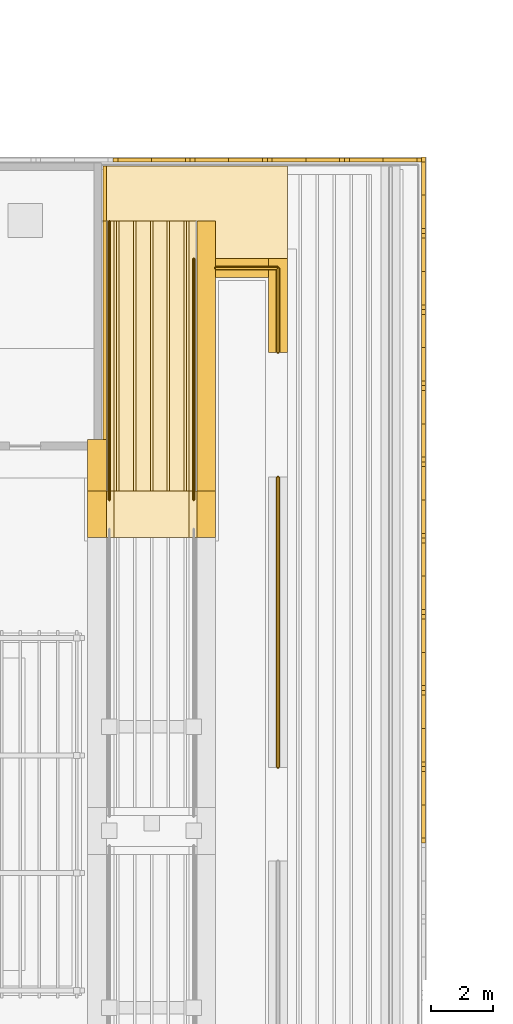
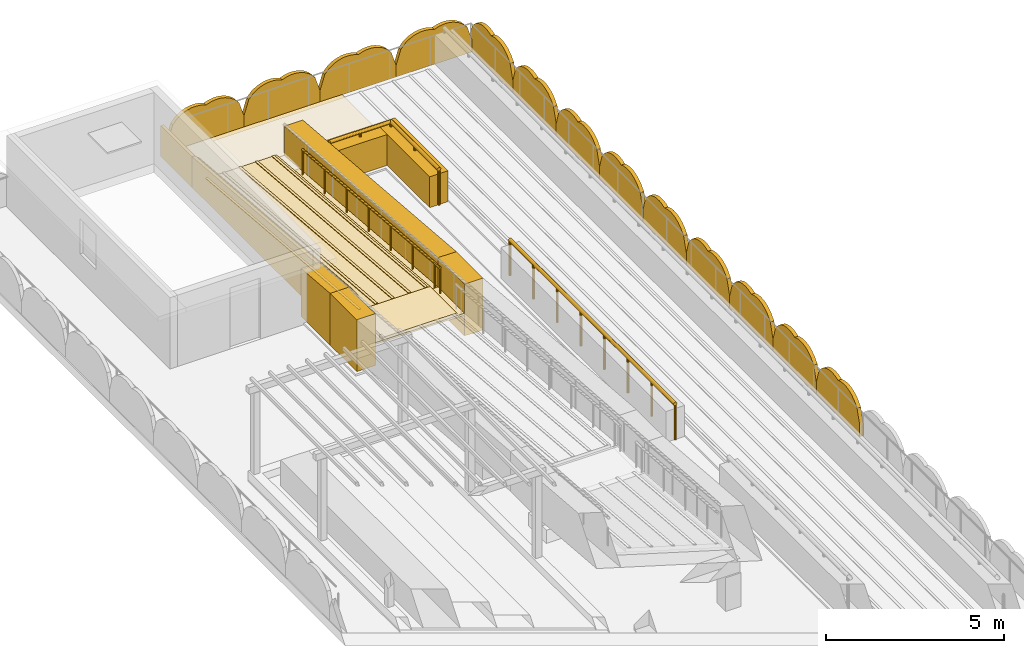
# One storey, part 65 of 65: 18 coverings, 13 shading devices, 4 railings.
"""IFC4 building model written with IfcOpenShell, lengths in metres."""

from ifc_helpers import new_model, si_unit, direction, frame, origin, origin_2d, place, context, subcontext, project, spatial, polyline, circle, outline, extrude, material, layer, layer_set, type_object, element, save


model = new_model("IFC4")

# Units and contexts
model_context = context("Model", 3, precision=1e-05, world=origin(), true_north=direction((0.0, 1.0)))
body_context = subcontext(model_context, "Body", "Model", "MODEL_VIEW")
ifc_project = project(units=[si_unit("LENGTHUNIT", "METRE"), si_unit("AREAUNIT", "SQUARE_METRE"), si_unit("VOLUMEUNIT", "CUBIC_METRE"), si_unit("PLANEANGLEUNIT", "RADIAN"), si_unit("MASSUNIT", "GRAM", prefix="KILO")], contexts=[model_context])

# Site, building, storey
site_placement = place(None, origin())
site = spatial("IfcSite", under=ifc_project, at=site_placement, CompositionType="ELEMENT")
building_placement = place(site_placement, origin())
building = spatial("IfcBuilding", under=site, at=building_placement, Name="Elbe Cascade School", CompositionType="ELEMENT")
storey_placement = place(building_placement, frame((0.0, 0.0, 11.699951171875)))
storey = spatial("IfcBuildingStorey", under=building, at=storey_placement, Name="L03", CompositionType="ELEMENT", Elevation=11.699951171875)

# Shading devices
ifc_material_1 = material(Name="Precast concrete C40/50", Category="concrete")
ifc_layer_1 = layer(ifc_material_1, 0.1201171875)
ifc_layer_set_1 = layer_set([ifc_layer_1], Name="Precast concrete C40/50")
shading_device_type = type_object("IfcShadingDeviceType", Name="Bars envelope Attic jali screen, pointed arch top, pierced precast concrete, 1200 high", PredefinedType="USERDEFINED", material=ifc_layer_set_1)
shading_device_1_placement = place(storey_placement, frame((145.52001953125, 38.28564453125, 0.0), z_axis=(1.0, 0.0, 0.0), x_axis=(0.0, 1.0, 0.0)))
element("IfcShadingDevice", 1, at=shading_device_1_placement, inside=storey, type_object=shading_device_type, Name="Attic jali screen SD1 C.L03.e14", ObjectType="JALI", PredefinedType="USERDEFINED", context=body_context, shape_type="SweptSolid", body=[
    extrude(outline(polyline([(0.0, 0.0), (2.440673828125, 0.0), (2.440673828125, 0.400146484375), (2.2880859375, 0.892822265625), (2.135498046875, 1.062744140625), (1.98291015625, 1.16748046875), (1.83056640625, 1.23193359375), (1.677734375, 1.265380859375), (1.525390625, 1.271240234375), (1.372802734375, 1.250244140625), (1.220458984375, 1.199951171875), (1.06787109375, 1.250244140625), (0.915283203125, 1.271240234375), (0.7626953125, 1.265380859375), (0.610107421875, 1.23193359375), (0.457763671875, 1.16748046875), (0.30517578125, 1.062744140625), (0.152587890625, 0.892822265625), (0.0, 0.400146484375), (0.0, 0.0)])), origin(), (0.0, 0.0, -1.0), 0.1201171875),
])
shading_device_2_placement = place(storey_placement, frame((145.52001953125, 40.726318359375, 0.0), z_axis=(1.0, 0.0, 0.0), x_axis=(0.0, 1.0, 0.0)))
element("IfcShadingDevice", 2, at=shading_device_2_placement, inside=storey, type_object=shading_device_type, Name="Attic jali screen SD1 C.L03.e15", ObjectType="JALI", PredefinedType="USERDEFINED", context=body_context, shape_type="SweptSolid", body=[
    extrude(outline(polyline([(0.0, 0.0), (2.4404296875, 0.0), (2.4404296875, 0.400146484375), (2.287841796875, 0.892822265625), (2.13525390625, 1.062744140625), (1.982666015625, 1.16748046875), (1.830078125, 1.23193359375), (1.677734375, 1.265380859375), (1.525146484375, 1.271240234375), (1.372802734375, 1.250244140625), (1.219970703125, 1.199951171875), (1.067626953125, 1.250244140625), (0.9150390625, 1.271240234375), (0.762451171875, 1.265380859375), (0.60986328125, 1.23193359375), (0.45751953125, 1.16748046875), (0.304931640625, 1.062744140625), (0.15234375, 0.892822265625), (0.0, 0.400146484375), (0.0, 0.0)])), origin(), (0.0, 0.0, -1.0), 0.1201171875),
])
shading_device_3_placement = place(storey_placement, frame((145.52001953125, 43.166748046875, 0.0), z_axis=(1.0, 0.0, 0.0), x_axis=(0.0, 1.0, 0.0)))
element("IfcShadingDevice", 3, at=shading_device_3_placement, inside=storey, type_object=shading_device_type, Name="Attic jali screen SD1 C.L03.e16", ObjectType="JALI", PredefinedType="USERDEFINED", context=body_context, shape_type="SweptSolid", body=[
    extrude(outline(polyline([(0.0, 0.0), (2.4404296875, 0.0), (2.4404296875, 0.400146484375), (2.287841796875, 0.892822265625), (2.13525390625, 1.062744140625), (1.98291015625, 1.16748046875), (1.830322265625, 1.23193359375), (1.677734375, 1.265380859375), (1.525146484375, 1.271240234375), (1.37255859375, 1.250244140625), (1.22021484375, 1.199951171875), (1.067626953125, 1.250244140625), (0.9150390625, 1.271240234375), (0.762451171875, 1.265380859375), (0.610107421875, 1.23193359375), (0.45751953125, 1.16748046875), (0.304931640625, 1.062744140625), (0.15234375, 0.892822265625), (0.0, 0.400146484375), (0.0, 0.0)])), origin(), (0.0, 0.0, -1.0), 0.1201171875),
])
shading_device_4_placement = place(storey_placement, frame((145.52001953125, 45.607177734375, 0.0), z_axis=(1.0, 0.0, 0.0), x_axis=(0.0, 1.0, 0.0)))
element("IfcShadingDevice", 4, at=shading_device_4_placement, inside=storey, type_object=shading_device_type, Name="Attic jali screen SD1 C.L03.e17", ObjectType="JALI", PredefinedType="USERDEFINED", context=body_context, shape_type="SweptSolid", body=[
    extrude(outline(polyline([(0.0, 0.0), (2.4404296875, 0.0), (2.4404296875, 0.400146484375), (2.287841796875, 0.892822265625), (2.135498046875, 1.062744140625), (1.98291015625, 1.16748046875), (1.830322265625, 1.23193359375), (1.677734375, 1.265380859375), (1.525146484375, 1.271240234375), (1.372802734375, 1.250244140625), (1.22021484375, 1.199951171875), (1.067626953125, 1.250244140625), (0.9150390625, 1.271240234375), (0.7626953125, 1.265380859375), (0.610107421875, 1.23193359375), (0.45751953125, 1.16748046875), (0.304931640625, 1.062744140625), (0.152587890625, 0.892822265625), (0.0, 0.400146484375), (0.0, 0.0)])), origin(), (0.0, 0.0, -1.0), 0.1201171875),
])
shading_device_5_placement = place(storey_placement, frame((145.52001953125, 48.047607421875, 0.0), z_axis=(1.0, 0.0, 0.0), x_axis=(0.0, 1.0, 0.0)))
element("IfcShadingDevice", 5, at=shading_device_5_placement, inside=storey, type_object=shading_device_type, Name="Attic jali screen SD1 C.L03.e18", ObjectType="JALI", PredefinedType="USERDEFINED", context=body_context, shape_type="SweptSolid", body=[
    extrude(outline(polyline([(0.0, 0.0), (2.4404296875, 0.0), (2.4404296875, 0.400146484375), (2.2880859375, 0.892822265625), (2.135498046875, 1.062744140625), (1.98291015625, 1.16748046875), (1.830322265625, 1.23193359375), (1.677734375, 1.265380859375), (1.525390625, 1.271240234375), (1.372802734375, 1.250244140625), (1.22021484375, 1.199951171875), (1.067626953125, 1.250244140625), (0.915283203125, 1.271240234375), (0.7626953125, 1.265380859375), (0.610107421875, 1.23193359375), (0.45751953125, 1.16748046875), (0.30517578125, 1.062744140625), (0.152587890625, 0.892822265625), (0.0, 0.400146484375), (0.0, 0.0)])), origin(), (0.0, 0.0, -1.0), 0.1201171875),
])
shading_device_6_placement = place(storey_placement, frame((145.52001953125, 50.488037109375, 0.0), z_axis=(1.0, 0.0, 0.0), x_axis=(0.0, 1.0, 0.0)))
element("IfcShadingDevice", 6, at=shading_device_6_placement, inside=storey, type_object=shading_device_type, Name="Attic jali screen SD1 C.L03.e19", ObjectType="JALI", PredefinedType="USERDEFINED", context=body_context, shape_type="SweptSolid", body=[
    extrude(outline(polyline([(0.0, 0.0), (2.440673828125, 0.0), (2.440673828125, 0.400146484375), (2.287841796875, 0.892822265625), (2.135498046875, 1.062744140625), (1.98291015625, 1.16748046875), (1.83056640625, 1.23193359375), (1.677978515625, 1.265380859375), (1.525390625, 1.271240234375), (1.372802734375, 1.250244140625), (1.22021484375, 1.199951171875), (1.06787109375, 1.250244140625), (0.915283203125, 1.271240234375), (0.7626953125, 1.265380859375), (0.610107421875, 1.23193359375), (0.457763671875, 1.16748046875), (0.30517578125, 1.062744140625), (0.152587890625, 0.892822265625), (0.0, 0.400146484375), (0.0, 0.0)])), origin(), (0.0, 0.0, -1.0), 0.1201171875),
])
shading_device_7_placement = place(storey_placement, frame((145.52001953125, 52.9287109375, 0.0), z_axis=(1.0, 0.0, 0.0), x_axis=(0.0, 1.0, 0.0)))
element("IfcShadingDevice", 7, at=shading_device_7_placement, inside=storey, type_object=shading_device_type, Name="Attic jali screen SD1 C.L03.e20", ObjectType="JALI", PredefinedType="USERDEFINED", context=body_context, shape_type="SweptSolid", body=[
    extrude(outline(polyline([(0.0, 0.0), (2.440185546875, 0.0), (2.440185546875, 0.400146484375), (2.287841796875, 0.892822265625), (2.13525390625, 1.062744140625), (1.98291015625, 1.16748046875), (1.830078125, 1.23193359375), (1.677734375, 1.265380859375), (1.525146484375, 1.271240234375), (1.37255859375, 1.250244140625), (1.219970703125, 1.199951171875), (1.067626953125, 1.250244140625), (0.9150390625, 1.271240234375), (0.762451171875, 1.265380859375), (0.610107421875, 1.23193359375), (0.45751953125, 1.16748046875), (0.304931640625, 1.062744140625), (0.15234375, 0.892822265625), (0.0, 0.400146484375), (0.0, 0.0)])), origin(), (0.0, 0.0, -1.0), 0.1201171875),
])
shading_device_8_placement = place(storey_placement, frame((145.52001953125, 55.368896484375, 0.0), z_axis=(1.0, 0.0, 0.0), x_axis=(0.0, 1.0, 0.0)))
element("IfcShadingDevice", 8, at=shading_device_8_placement, inside=storey, type_object=shading_device_type, Name="Attic jali screen SD1 C.L03.e21", ObjectType="JALI", PredefinedType="USERDEFINED", context=body_context, shape_type="SweptSolid", body=[
    extrude(outline(polyline([(0.0, 0.0), (2.440673828125, 0.0), (2.440673828125, 0.400146484375), (2.2880859375, 0.892822265625), (2.135498046875, 1.062744140625), (1.98291015625, 1.16748046875), (1.83056640625, 1.23193359375), (1.677978515625, 1.265380859375), (1.525390625, 1.271240234375), (1.372802734375, 1.250244140625), (1.220458984375, 1.199951171875), (1.06787109375, 1.250244140625), (0.915283203125, 1.271240234375), (0.7626953125, 1.265380859375), (0.6103515625, 1.23193359375), (0.457763671875, 1.16748046875), (0.30517578125, 1.062744140625), (0.152587890625, 0.892822265625), (0.0, 0.400146484375), (0.0, 0.0)])), origin(), (0.0, 0.0, -1.0), 0.1201171875),
])
shading_device_9_placement = place(storey_placement, frame((145.52001953125, 57.8095703125, 0.0), z_axis=(1.0, 0.0, 0.0), x_axis=(0.0, 1.0, 0.0)))
element("IfcShadingDevice", 9, at=shading_device_9_placement, inside=storey, type_object=shading_device_type, Name="Attic jali screen SD1 C.L03.e22", ObjectType="JALI", PredefinedType="USERDEFINED", context=body_context, shape_type="SweptSolid", body=[
    extrude(outline(polyline([(0.0, 0.0), (2.4404296875, 0.0), (2.4404296875, 0.400146484375), (2.287841796875, 0.892822265625), (2.13525390625, 1.062744140625), (1.98291015625, 1.16748046875), (1.830322265625, 1.23193359375), (1.677734375, 1.265380859375), (1.525146484375, 1.271240234375), (1.372802734375, 1.250244140625), (1.22021484375, 1.199951171875), (1.067626953125, 1.250244140625), (0.9150390625, 1.271240234375), (0.7626953125, 1.265380859375), (0.610107421875, 1.23193359375), (0.45751953125, 1.16748046875), (0.304931640625, 1.062744140625), (0.152587890625, 0.892822265625), (0.0, 0.400146484375), (0.0, 0.0)])), origin(), (0.0, 0.0, -1.0), 0.1201171875),
])
shading_device_10_placement = place(storey_placement, frame((135.514404296875, 60.219970703125, 0.400146484375), z_axis=(0.0, 1.0, 0.0), x_axis=(0.296591098501, 0.0, 0.955004565586)))
element("IfcShadingDevice", 10, at=shading_device_10_placement, inside=storey, type_object=shading_device_type, Name="Attic jali screen SD1 C.L03.n4", ObjectType="JALI", PredefinedType="USERDEFINED", context=body_context, shape_type="SweptSolid", body=[
    extrude(outline(polyline([(0.0, 0.0), (0.5202343420947262, 0.0), (0.7295117751579618, 0.09682801024569865), (0.875837247110804, 0.21320670325393723), (0.9831533554036527, 0.34144470018896744), (1.0604648255465818, 0.4792567342998425), (1.1107302679531939, 0.6254683210049938), (1.134809894333411, 0.7795566651482713), (1.1302838150328287, 0.942784586850448), (1.226480873508876, 1.074731416132561), (1.2939274064318087, 1.2153515121505334), (1.3353329432006613, 1.3643146764296716), (1.3496924522331972, 1.5216773933030865), (1.3339025032434986, 1.688147836529306), (1.2792480104661212, 1.866943894505357), (1.1616415565783504, 2.065290635243948), (0.7329333737867739, 2.359999075405198), (0.3507916543055331, 2.478678960767431), (-0.3821417194812408, 0.118679885362233), (0.0, 0.0)])), origin(), (0.0, 0.0, -1.0), 0.1201171875),
])
shading_device_11_placement = place(storey_placement, frame((137.985595703125, 60.219970703125, 0.400146484375), z_axis=(0.0, 1.0, 0.0), x_axis=(0.297019017158, 0.0, 0.954871563849)))
element("IfcShadingDevice", 11, at=shading_device_11_placement, inside=storey, type_object=shading_device_type, Name="Attic jali screen SD1 C.L03.n5", ObjectType="JALI", PredefinedType="USERDEFINED", context=body_context, shape_type="SweptSolid", body=[
    extrude(outline(polyline([(0.0, 0.0), (0.5203068042706857, 0.0), (0.7296276060574873, 0.09673422092004844), (0.8760052139382555, 0.21304733213126112), (0.983378776364954, 0.3412372266192086), (1.060751993889478, 0.47901460274221613), (1.111082950328447, 0.6252036502495756), (1.1352316230349457, 0.7792811885669514), (1.1307786884816262, 0.9425111220684724), (1.2270348641779603, 1.0744148311041308), (1.2946169182059901, 1.2152378123835414), (1.3360166885015499, 1.3639492844729684), (1.3504467121200405, 1.5213055508871403), (1.3347313620193848, 1.6877830530555866), (1.2801569952816312, 1.8666035843815534), (1.162639434637844, 2.065003005998684), (0.734063357101687, 2.359903525595471), (0.3519748577980244, 2.478754641103686), (-0.3820884993036626, 0.11885111550821545), (0.0, 0.0)])), origin(), (0.0, 0.0, -1.0), 0.1201171875),
])
shading_device_12_placement = place(storey_placement, frame((140.45703125, 60.219970703125, 0.400146484375), z_axis=(0.0, 1.0, 0.0), x_axis=(0.297019017158, 0.0, 0.954871563849)))
element("IfcShadingDevice", 12, at=shading_device_12_placement, inside=storey, type_object=shading_device_type, Name="Attic jali screen SD1 C.L03.n6", ObjectType="JALI", PredefinedType="USERDEFINED", context=body_context, shape_type="SweptSolid", body=[
    extrude(outline(polyline([(0.0, 0.0), (0.5203068042706857, 0.0), (0.7296276060574873, 0.09673422092004844), (0.8759326995297696, 0.21281420919086838), (0.983378776364954, 0.3412372266192086), (1.060751993889478, 0.47901460274221613), (1.111010435919961, 0.6249705273091829), (1.1352316230349457, 0.7792811885669514), (1.1307786884816262, 0.9425111220684724), (1.2270348641779603, 1.0744148311041308), (1.2945444037975045, 1.2150046894431488), (1.3360166885015499, 1.3639492844729684), (1.3504467121200405, 1.5213055508871403), (1.3347313620193848, 1.6877830530555866), (1.2801569952816312, 1.8666035843815534), (1.162639434637844, 2.065003005998684), (0.7341358715101728, 2.3601366485358635), (0.35204737220651017, 2.4789877640440787), (-0.3820884993036626, 0.11885111550821545), (0.0, 0.0)])), origin(), (0.0, 0.0, -1.0), 0.1201171875),
])
shading_device_13_placement = place(storey_placement, frame((142.9287109375, 60.219970703125, 0.400146484375), z_axis=(0.0, 1.0, 0.0), x_axis=(0.296591098501, 0.0, 0.955004565586)))
element("IfcShadingDevice", 13, at=shading_device_13_placement, inside=storey, type_object=shading_device_type, Name="Attic jali screen SD1 C.L03.n7", ObjectType="JALI", PredefinedType="USERDEFINED", context=body_context, shape_type="SweptSolid", body=[
    extrude(outline(polyline([(0.0, 0.0), (0.5202343420947262, 0.0), (0.7295117751579618, 0.09682801024569865), (0.875837247110804, 0.21320670325393723), (0.9831533554036527, 0.34144470018896744), (1.0604648255465818, 0.4792567342998425), (1.1107302679531939, 0.6254683210049938), (1.134809894333411, 0.7795566651482713), (1.1302838150328287, 0.942784586850448), (1.2264084635727184, 1.074498260721041), (1.2939274064318087, 1.2153515121505334), (1.3353329432006613, 1.3643146764296716), (1.3496200422970395, 1.5214442378915665), (1.3339025032434986, 1.688147836529306), (1.2792480104661212, 1.866943894505357), (1.1616415565783504, 2.065290635243948), (0.7329333737867739, 2.359999075405198), (0.3507916543055331, 2.478678960767431), (-0.3821417194812408, 0.118679885362233), (0.0, 0.0)])), origin(), (0.0, 0.0, -1.0), 0.1201171875),
])

# Coverings
ifc_material_2 = material(Name="Running track surfacing - white lines", Category="surfacing")
ifc_layer_2 = layer(ifc_material_2, 0.02001953125)
ifc_layer_set_2 = layer_set([ifc_layer_2], Name="Running track surfacing - white lines")
covering_type_1 = type_object("IfcCoveringType", Name="Lane marking 80", PredefinedType="FLOORING", material=ifc_layer_set_2)
for number, where, z_axis, x_axis, name in (
    (14, (135.6298828125, 49.56005859375, 0.9599609375), (0.0, 0.08304314939, 0.996545952447), (0.0, 0.996545952447, -0.08304314939), "Lane marking C ramp flight 5 line 1"),
    (15, (136.169921875, 49.56005859375, 0.9599609375), (0.0, 0.08304314939, 0.996545952447), (0.0, 0.996545952447, -0.08304314939), "Lane marking C ramp flight 5 line 2"),
    (16, (136.7099609375, 49.56005859375, 0.9599609375), (0.0, 0.08304314939, 0.996545952447), (0.0, 0.996545952447, -0.08304314939), "Lane marking C ramp flight 5 line 3"),
    (17, (137.25, 49.56005859375, 0.9599609375), (0.0, 0.08304314939, 0.996545952447), (0.0, 0.996545952447, -0.08304314939), "Lane marking C ramp flight 5 line 4"),
    (18, (137.7900390625, 49.56005859375, 0.9599609375), (0.0, 0.08304314939, 0.996545952447), (0.0, 0.996545952447, -0.08304314939), "Lane marking C ramp flight 5 line 5"),
):
    element("IfcCovering", number, at=place(storey_placement, frame(where, z_axis=z_axis, x_axis=x_axis)), inside=storey, type_object=covering_type_1, Name=name, PredefinedType="FLOORING", context=body_context, shape_type="SweptSolid", body=[
        extrude(outline(polyline([(0.0, 0.0), (8.669838612967244, 0.0), (8.669838612967244, -0.08007812500000001), (0.0, -0.08007812500000001), (0.0, 0.0)])), origin(), (0.08304314939, 0.0, -0.996545952447), 0.02001953125),
    ])
ifc_material_3 = material(Name="Concrete C30/37 precast parapet", Category="concrete")
ifc_layer_3 = layer(ifc_material_3, 0.10009765625)
ifc_layer_set_3 = layer_set([ifc_layer_3], Name="Concrete C30/37 precast parapet")
covering_type_2 = type_object("IfcCoveringType", Name="Ramp parapet beside a wall 100", PredefinedType="CLADDING", material=ifc_layer_set_3)
covering_1_placement = place(storey_placement, frame((135.199951171875, 49.56005859375, 0.06005859375), z_axis=(1.0, 0.0, 0.0), x_axis=(0.0, 1.0, 0.0)))
element("IfcCovering", 19, at=covering_1_placement, inside=storey, type_object=covering_type_2, Name="Ramp C flight 5 parapet w2", PredefinedType="CLADDING", context=body_context, shape_type="SweptSolid", body=[
    extrude(outline(polyline([(1.639892578125, 0.0), (8.639892578125, 0.0), (8.639892578125, 1.06005859375), (1.639892578125, 1.643310546875), (1.639892578125, 0.0)])), origin(), (0.0, 0.0, 1.0), 0.10009765625),
])
ifc_material_4 = material(Name="Concrete C30/37 precast parapet", Category="concrete")
ifc_layer_4 = layer(ifc_material_4, 0.60009765625)
ifc_layer_set_4 = layer_set([ifc_layer_4], Name="Concrete C30/37 precast parapet")
covering_type_3 = type_object("IfcCoveringType", Name="Ramp parapet on deck 600", PredefinedType="CLADDING", material=ifc_layer_set_4)
covering_2_placement = place(storey_placement, frame((0.0, 0.0, 0.06005859375)))
element("IfcCovering", 20, at=covering_2_placement, inside=storey, type_object=covering_type_3, Name="Ramp C landing 5 parapet w1", PredefinedType="CLADDING", context=body_context, shape_type="SweptSolid", body=[
    extrude(outline(polyline([(134.699951171875, 48.06005859375), (135.300048828125, 48.06005859375), (135.300048828125, 49.56005859375), (134.699951171875, 49.56005859375), (134.699951171875, 48.06005859375)])), origin(), (0.0, 0.0, 1.0), 1.780029296875),
])
covering_3_placement = place(storey_placement, frame((134.699951171875, 49.56005859375, 0.06005859375), z_axis=(1.0, 0.0, 0.0), x_axis=(0.0, 1.0, 0.0)))
element("IfcCovering", 21, at=covering_3_placement, inside=storey, type_object=covering_type_3, Name="Ramp C flight 5 parapet w1", PredefinedType="CLADDING", context=body_context, shape_type="SweptSolid", body=[
    extrude(outline(polyline([(0.0, 0.0), (1.639892578125, 0.0), (1.639892578125, 1.643310546875), (0.0, 1.780029296875), (0.0, 0.0)])), origin(), (0.0, 0.0, 1.0), 0.60009765625),
])
covering_4_placement = place(storey_placement, frame((0.0, 0.0, 0.06005859375)))
element("IfcCovering", 22, at=covering_4_placement, inside=storey, type_object=covering_type_3, Name="Ramp C landing 5 parapet e1", PredefinedType="CLADDING", context=body_context, shape_type="SweptSolid", body=[
    extrude(outline(polyline([(138.199951171875, 48.06005859375), (138.800048828125, 48.06005859375), (138.800048828125, 49.56005859375), (138.199951171875, 49.56005859375), (138.199951171875, 48.06005859375)])), origin(), (0.0, 0.0, 1.0), 1.780029296875),
])
covering_5_placement = place(storey_placement, frame((138.199951171875, 49.56005859375, 0.06005859375), z_axis=(1.0, 0.0, 0.0), x_axis=(0.0, 1.0, 0.0)))
element("IfcCovering", 23, at=covering_5_placement, inside=storey, type_object=covering_type_3, Name="Ramp C flight 5 parapet e1", PredefinedType="CLADDING", context=body_context, shape_type="SweptSolid", body=[
    extrude(outline(polyline([(0.0, 0.0), (8.639892578125, 0.0), (8.639892578125, 1.06005859375), (0.0, 1.780029296875), (0.0, 0.0)])), origin(), (0.0, 0.0, 1.0), 0.60009765625),
])
ifc_material_5 = material(Name="Running track surfacing - red", Category="surfacing")
ifc_layer_5 = layer(ifc_material_5, 0.10009765625)
ifc_layer_set_5 = layer_set([ifc_layer_5], Name="Running track surfacing - red")
covering_type_4 = type_object("IfcCoveringType", Name="Running track band 100", PredefinedType="USERDEFINED", material=ifc_layer_set_5)
covering_6_placement = place(storey_placement, frame((0.0, 0.0, 0.840087890625)))
element("IfcCovering", 24, at=covering_6_placement, inside=storey, type_object=covering_type_4, Name="Running track band C ramp landing 5", ObjectType="RUNNING TRACK", PredefinedType="USERDEFINED", context=body_context, shape_type="SweptSolid", body=[
    extrude(outline(polyline([(137.949951171875, 48.06005859375), (137.949951171875, 49.56005859375), (135.550048828125, 49.56005859375), (135.550048828125, 48.06005859375), (137.949951171875, 48.06005859375)])), origin(), (0.0, 0.0, 1.0), 0.099853515625),
])
covering_7_placement = place(storey_placement, frame((135.550048828125, 49.56005859375, 0.93994140625), z_axis=(0.0, 0.08304314939, 0.996545952447), x_axis=(0.0, 0.996545952447, -0.08304314939)))
element("IfcCovering", 25, at=covering_7_placement, inside=storey, type_object=covering_type_4, Name="Running track band C ramp flight 5", ObjectType="RUNNING TRACK", PredefinedType="USERDEFINED", context=body_context, shape_type="SweptSolid", body=[
    extrude(outline(polyline([(0.0, 0.0), (8.669838612967244, 0.0), (8.669838612967244, -2.3999023437500004), (0.0, -2.3999023437500004), (0.0, 0.0)])), origin(), (0.08304314939, 0.0, -0.996545952447), 0.10009765625),
])
ifc_material_6 = material(Name="Running track surfacing - red", Category="surfacing")
ifc_layer_6 = layer(ifc_material_6, 0.06005859375)
ifc_layer_set_6 = layer_set([ifc_layer_6], Name="Running track surfacing - red")
covering_type_5 = type_object("IfcCoveringType", Name="Running track surfacing 60", PredefinedType="USERDEFINED", material=ifc_layer_set_6)
covering_8_placement = place(storey_placement, frame((0.0, 0.0, 0.06005859375)))
element("IfcCovering", 26, at=covering_8_placement, inside=storey, type_object=covering_type_5, Name="Running track C ramp link", ObjectType="RUNNING TRACK", PredefinedType="USERDEFINED", context=body_context, shape_type="SweptSolid", body=[
    extrude(outline(polyline([(135.300048828125, 58.199951171875), (138.199951171875, 58.199951171875), (138.199951171875, 57.0), (141.10009765625, 57.0), (141.10009765625, 59.969970703125), (135.300048828125, 59.969970703125), (135.300048828125, 58.199951171875)])), origin(), (0.0, 0.0, 1.0), 0.06005859375),
])
covering_9_placement = place(storey_placement, frame((0.0, 0.0, 0.780029296875)))
element("IfcCovering", 27, at=covering_9_placement, inside=storey, type_object=covering_type_5, Name="Running track C ramp landing 5", ObjectType="RUNNING TRACK", PredefinedType="USERDEFINED", context=body_context, shape_type="SweptSolid", body=[
    extrude(outline(polyline([(138.199951171875, 48.06005859375), (138.199951171875, 49.56005859375), (135.300048828125, 49.56005859375), (135.300048828125, 48.06005859375), (138.199951171875, 48.06005859375)])), origin(), (0.0, 0.0, 1.0), 0.06005859375),
])
covering_10_placement = place(storey_placement, frame((135.300048828125, 49.56005859375, 0.840087890625), z_axis=(0.0, 0.08304314939, 0.996545952447), x_axis=(0.0, 0.996545952447, -0.08304314939)))
element("IfcCovering", 28, at=covering_10_placement, inside=storey, type_object=covering_type_5, Name="Running track C ramp flight 5", ObjectType="RUNNING TRACK", PredefinedType="USERDEFINED", context=body_context, shape_type="SweptSolid", body=[
    extrude(outline(polyline([(0.0, 0.0), (8.669838612967244, 0.0), (8.669838612967244, -2.89990234375), (0.0, -2.89990234375), (0.0, 0.0)])), origin(), (0.08304314939, 0.0, -0.996545952447), 0.06005859375),
])

# Railings
ifc_material_7 = material(Name="Steel S355J2H", Category="steel")
railing_type_1 = type_object("IfcRailingType", Name="Track edge rail 1280", PredefinedType="GUARDRAIL", material=ifc_material_7)
railing_1_placement = place(storey_placement, frame((138.800048828125, 56.699951171875, 0.06005859375)))
element("IfcRailing", 29, at=railing_1_placement, inside=storey, type_object=railing_type_1, Name="Track edge rail RL6 C west 1", PredefinedType="GUARDRAIL", context=body_context, shape_type="SweptSolid", body=[
    extrude(circle(Radius=0.06005859375, at=origin_2d()), frame((0.0, 0.0, 1.219970703125), z_axis=(1.0, 0.0, 0.0), x_axis=(0.0, 1.0, 0.0)), (0.0, 0.0, 1.0), 2.0),
    extrude(circle(Radius=0.06005859375, at=origin_2d()), frame((2.0, 0.0, 1.219970703125), z_axis=(0.0, -1.0, 0.0), x_axis=(1.0, 0.0, 0.0)), (0.0, 0.0, 1.0), 2.699951171875),
    extrude(circle(Radius=0.0400390625, at=origin_2d()), origin(), (0.0, 0.0, 1.0), 1.159912109375),
    extrude(circle(Radius=0.0400390625, at=origin_2d()), frame((1.0, 0.0, 0.0)), (0.0, 0.0, 1.0), 1.159912109375),
    extrude(circle(Radius=0.0400390625, at=origin_2d()), frame((2.0, 0.0, 0.0)), (0.0, 0.0, 1.0), 1.159912109375),
    extrude(circle(Radius=0.0400390625, at=origin_2d()), frame((2.0, -1.35009765625, 0.0)), (0.0, 0.0, 1.0), 1.159912109375),
    extrude(circle(Radius=0.0400390625, at=origin_2d()), frame((2.0, -2.699951171875, 0.0)), (0.0, 0.0, 1.0), 1.159912109375),
])
railing_2_placement = place(storey_placement, frame((140.800048828125, 50.0, 0.06005859375)))
element("IfcRailing", 30, at=railing_2_placement, inside=storey, type_object=railing_type_1, Name="Track edge rail RL6 C west 2", PredefinedType="GUARDRAIL", context=body_context, shape_type="SweptSolid", body=[
    extrude(circle(Radius=0.06005859375, at=origin_2d()), frame((0.0, 0.0, 1.219970703125), z_axis=(0.0, -1.0, 0.0), x_axis=(1.0, 0.0, 0.0)), (0.0, 0.0, 1.0), 9.300048828125),
    extrude(circle(Radius=0.0400390625, at=origin_2d()), origin(), (0.0, 0.0, 1.0), 1.159912109375),
    extrude(circle(Radius=0.0400390625, at=origin_2d()), frame((0.0, -1.32861328125, 0.0)), (0.0, 0.0, 1.0), 1.159912109375),
    extrude(circle(Radius=0.0400390625, at=origin_2d()), frame((0.0, -2.6572265625, 0.0)), (0.0, 0.0, 1.0), 1.159912109375),
    extrude(circle(Radius=0.0400390625, at=origin_2d()), frame((0.0, -3.98583984375, 0.0)), (0.0, 0.0, 1.0), 1.159912109375),
    extrude(circle(Radius=0.0400390625, at=origin_2d()), frame((0.0, -5.314208984375, 0.0)), (0.0, 0.0, 1.0), 1.159912109375),
    extrude(circle(Radius=0.0400390625, at=origin_2d()), frame((0.0, -6.642822265625, 0.0)), (0.0, 0.0, 1.0), 1.159912109375),
    extrude(circle(Radius=0.0400390625, at=origin_2d()), frame((0.0, -7.971435546875, 0.0)), (0.0, 0.0, 1.0), 1.159912109375),
    extrude(circle(Radius=0.0400390625, at=origin_2d()), frame((0.0, -9.300048828125, 0.0)), (0.0, 0.0, 1.0), 1.159912109375),
])
ifc_material_8 = material(Name="Steel S355J2H", Category="steel")
railing_type_2 = type_object("IfcRailingType", Name="Track handrail 900", PredefinedType="HANDRAIL", material=ifc_material_8)
railing_3_placement = place(storey_placement, frame((138.10009765625, 49.260009765625, 0.840087890625)))
element("IfcRailing", 31, at=railing_3_placement, inside=storey, type_object=railing_type_2, Name="Track handrail RL5 B-C south and east flight 5", PredefinedType="HANDRAIL", context=body_context, shape_type="SweptSolid", body=[
    extrude(circle(Radius=0.0400390625, at=origin_2d()), frame((0.0, 0.0, 0.85986328125), z_axis=(0.0, 1.0, 0.0), x_axis=(-1.0, 0.0, 0.0)), (0.0, 0.0, 1.0), 0.300048828125),
    extrude(circle(Radius=0.0400390625, at=origin_2d()), frame((0.0, 0.300048828125, 0.85986328125), z_axis=(0.0, 0.996544404949, -0.083061717811), x_axis=(-1.0, 0.0, 0.0)), (0.0, 0.0, 1.0), 7.4658203125),
    extrude(circle(Radius=0.02099609375, at=origin_2d()), origin(), (0.0, 0.0, 1.0), 0.81982421875),
    extrude(circle(Radius=0.02099609375, at=origin_2d()), frame((0.0, 0.300048828125, 0.0)), (0.0, 0.0, 1.0), 0.81982421875),
    extrude(circle(Radius=0.02099609375, at=origin_2d()), frame((0.0, 1.5400390625, -0.103271484375)), (0.0, 0.0, 1.0), 0.81982421875),
    extrude(circle(Radius=0.02099609375, at=origin_2d()), frame((0.0, 2.780029296875, -0.206787109375)), (0.0, 0.0, 1.0), 0.81982421875),
    extrude(circle(Radius=0.02099609375, at=origin_2d()), frame((0.0, 4.02001953125, -0.31005859375)), (0.0, 0.0, 1.0), 0.81982421875),
    extrude(circle(Radius=0.02099609375, at=origin_2d()), frame((0.0, 5.260009765625, -0.413330078125)), (0.0, 0.0, 1.0), 0.81982421875),
    extrude(circle(Radius=0.02099609375, at=origin_2d()), frame((0.0, 6.5, -0.516845703125)), (0.0, 0.0, 1.0), 0.81982421875),
    extrude(circle(Radius=0.02099609375, at=origin_2d()), frame((0.0, 7.739990234375, -0.6201171875)), (0.0, 0.0, 1.0), 0.81982421875),
])
railing_4_placement = place(storey_placement, frame((135.39990234375, 49.260009765625, 0.840087890625)))
element("IfcRailing", 32, at=railing_4_placement, inside=storey, type_object=railing_type_2, Name="Track handrail RL5 B-C north and west flight 5", PredefinedType="HANDRAIL", context=body_context, shape_type="SweptSolid", body=[
    extrude(circle(Radius=0.0400390625, at=origin_2d()), frame((0.0, 0.0, 0.85986328125), z_axis=(0.0, 1.0, 0.0), x_axis=(-1.0, 0.0, 0.0)), (0.0, 0.0, 1.0), 0.300048828125),
    extrude(circle(Radius=0.0400390625, at=origin_2d()), frame((0.0, 0.300048828125, 0.85986328125), z_axis=(0.0, 0.996545952447, -0.08304314939), x_axis=(-1.0, 0.0, 0.0)), (0.0, 0.0, 1.0), 8.669921875),
    extrude(circle(Radius=0.02099609375, at=origin_2d()), origin(), (0.0, 0.0, 1.0), 0.81982421875),
    extrude(circle(Radius=0.02099609375, at=origin_2d()), frame((0.0, 0.300048828125, 0.0)), (0.0, 0.0, 1.0), 0.81982421875),
    extrude(circle(Radius=0.02099609375, at=origin_2d()), frame((0.0, 1.534423828125, -0.102783203125)), (0.0, 0.0, 1.0), 0.81982421875),
    extrude(circle(Radius=0.02099609375, at=origin_2d()), frame((0.0, 2.7685546875, -0.205810546875)), (0.0, 0.0, 1.0), 0.81982421875),
    extrude(circle(Radius=0.02099609375, at=origin_2d()), frame((0.0, 4.0029296875, -0.30859375)), (0.0, 0.0, 1.0), 0.81982421875),
    extrude(circle(Radius=0.02099609375, at=origin_2d()), frame((0.0, 5.237060546875, -0.411376953125)), (0.0, 0.0, 1.0), 0.81982421875),
    extrude(circle(Radius=0.02099609375, at=origin_2d()), frame((0.0, 6.471435546875, -0.51416015625)), (0.0, 0.0, 1.0), 0.81982421875),
    extrude(circle(Radius=0.02099609375, at=origin_2d()), frame((0.0, 7.70556640625, -0.6171875)), (0.0, 0.0, 1.0), 0.81982421875),
    extrude(circle(Radius=0.02099609375, at=origin_2d()), frame((0.0, 8.93994140625, -0.719970703125)), (0.0, 0.0, 1.0), 0.81982421875),
])

# Coverings
ifc_material_9 = material(Name="Concrete C30/37 precast parapet", Category="concrete")
ifc_layer_7 = layer(ifc_material_9, 0.10009765625)
ifc_layer_set_7 = layer_set([ifc_layer_7], Name="Concrete C30/37 precast parapet")
covering_type_6 = type_object("IfcCoveringType", Name="Track parapet beside a wall 100x1060", PredefinedType="CLADDING", material=ifc_layer_set_7)
covering_11_placement = place(storey_placement, frame((0.0, 0.0, 0.06005859375)))
element("IfcCovering", 33, at=covering_11_placement, inside=storey, type_object=covering_type_6, Name="Track parapet C link west", PredefinedType="CLADDING", context=body_context, shape_type="SweptSolid", body=[
    extrude(outline(polyline([(135.199951171875, 58.199951171875), (135.300048828125, 58.199951171875), (135.300048828125, 59.969970703125), (135.199951171875, 59.969970703125), (135.199951171875, 58.199951171875)])), origin(), (0.0, 0.0, 1.0), 1.06005859375),
])
ifc_material_10 = material(Name="Concrete C30/37 precast parapet", Category="concrete")
ifc_layer_8 = layer(ifc_material_10, 0.60009765625)
ifc_layer_set_8 = layer_set([ifc_layer_8], Name="Concrete C30/37 precast parapet")
covering_type_7 = type_object("IfcCoveringType", Name="Track parapet on deck 600x1060", PredefinedType="CLADDING", material=ifc_layer_set_8)
covering_12_placement = place(storey_placement, frame((0.0, 0.0, 0.06005859375)))
element("IfcCovering", 34, at=covering_12_placement, inside=storey, type_object=covering_type_7, Name="Track parapet C link south", PredefinedType="CLADDING", context=body_context, shape_type="SweptSolid", body=[
    extrude(outline(polyline([(138.800048828125, 56.39990234375), (140.5, 56.39990234375), (140.5, 57.0), (138.800048828125, 57.0), (138.800048828125, 56.39990234375)])), origin(), (0.0, 0.0, 1.0), 1.06005859375),
])
covering_13_placement = place(storey_placement, frame((0.0, 0.0, 0.06005859375)))
element("IfcCovering", 35, at=covering_13_placement, inside=storey, type_object=covering_type_7, Name="Track parapet C west 1", PredefinedType="CLADDING", context=body_context, shape_type="SweptSolid", body=[
    extrude(outline(polyline([(140.5, 57.0), (141.10009765625, 57.0), (141.10009765625, 54.0), (140.5, 54.0), (140.5, 57.0)])), origin(), (0.0, 0.0, 1.0), 1.06005859375),
])

save(model, "model.ifc")
